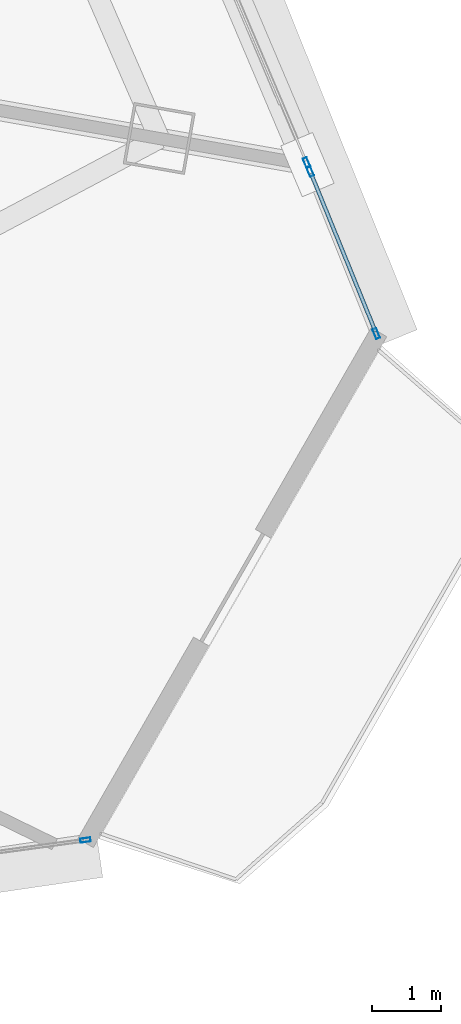
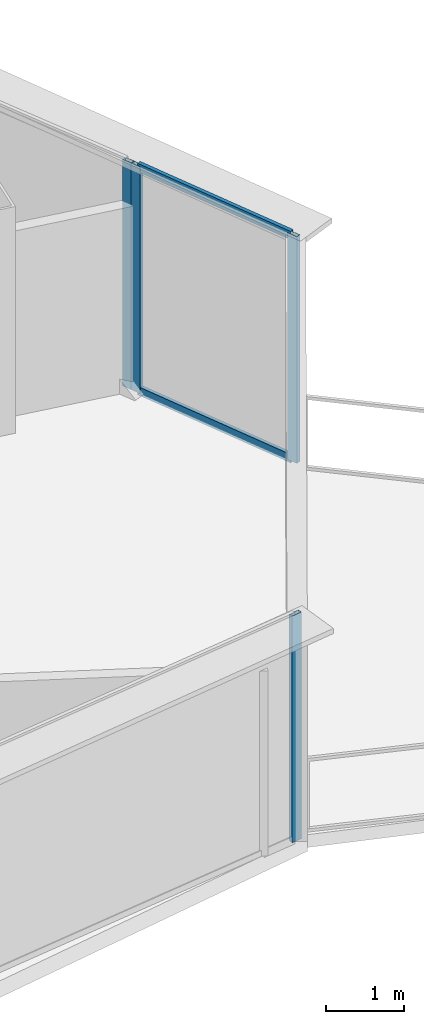
# One storey, part 24 of 37: 6 members, 3 elements without a shape of their own.
"""IFC4 building model written with IfcOpenShell, lengths in metres."""

from ifc_helpers import new_model, si_unit, direction, frame, origin, origin_2d, place, context, subcontext, project, spatial, hollow_rectangle, extrude, source, transform, mapped, material, layer, layer_set, material_profile, profile_set, type_object, element, aggregate, save


model = new_model("IFC4")

# Units and contexts
model_context = context("Model", 3, precision=1e-05, world=origin(), true_north=direction((0.0, 1.0)))
body_context = subcontext(model_context, "Body", "Model", "MODEL_VIEW")
ifc_project = project(units=[si_unit("LENGTHUNIT", "METRE"), si_unit("AREAUNIT", "SQUARE_METRE"), si_unit("VOLUMEUNIT", "CUBIC_METRE"), si_unit("PLANEANGLEUNIT", "RADIAN"), si_unit("MASSUNIT", "GRAM", prefix="KILO"), si_unit("THERMODYNAMICTEMPERATUREUNIT", "KELVIN"), si_unit("POWERUNIT", "WATT")], contexts=[model_context])

# Site, building, storey
site_placement = place(None, origin())
site = spatial("IfcSite", under=ifc_project, at=site_placement, CompositionType="ELEMENT")
building_placement = place(site_placement, origin())
building = spatial("IfcBuilding", under=site, at=building_placement, Name="Yunzhuo Pagoda Commons", CompositionType="ELEMENT")
storey_placement = place(building_placement, frame((0.0, 0.0, 192.360107421875)))
storey = spatial("IfcBuildingStorey", under=building, at=storey_placement, Name="L48", CompositionType="ELEMENT", Elevation=192.360107421875)

# Curtain wall, member
ifc_material = material(Name="Anodized aluminium 6063-T6", Category="aluminium")
ifc_layer = layer(ifc_material, 0.14990234375)
ifc_layer_set = layer_set([ifc_layer], Name="Anodized aluminium 6063-T6")
curtain_wall_type = type_object("IfcCurtainWallType", Name="CW-MID Mid-Zone Ribbon Curtain Wall", PredefinedType="NOTDEFINED", material=ifc_layer_set)
curtain_wall_1_placement = place(storey_placement, origin())
curtain_wall_1 = element("IfcCurtainWall", 1, at=curtain_wall_1_placement, inside=storey, type_object=curtain_wall_type, Name="L48 curtain wall CW-L48-F1B5", PredefinedType="NOTDEFINED")
ifc_material_profile_1 = material_profile(ifc_material, hollow_rectangle(XDim=0.06005859375, YDim=0.14990234375, WallThickness=0.00390625, at=origin_2d()), Name="Anodized aluminium 6063-T6")
ifc_profile_set_1 = profile_set([ifc_material_profile_1], Name="Anodized aluminium 6063-T6")
member_type_1 = type_object("IfcMemberType", Name="CW-MID-M Mullion RHS 150x60x4", PredefinedType="MULLION", material=ifc_profile_set_1)
shared_shape_1 = source(origin(), body_context, "Body", "SweptSolid", [
    extrude(hollow_rectangle(XDim=0.06005859375, YDim=0.14990234375, WallThickness=0.00390625, at=origin_2d()), origin(), (0.0, 0.0, 1.0), 3.539794921875),
])
member_1_placement = place(storey_placement, frame((82.1376953125, 17.32861328125, 0.0), z_axis=(0.0, 0.0, 1.0), x_axis=(-0.135312015534, 0.990803037163, 0.0)))
member_1 = element("IfcMember", 2, at=member_1_placement, type_object=member_type_1, Name="CW mullion 2", PredefinedType="MULLION", context=body_context, shape_type="MappedRepresentation", body=[
    mapped(shared_shape_1, transform((0.0, 0.0, 0.0), scale=1.0)),
])
aggregate(curtain_wall_1, [member_1])

curtain_wall_2_placement = place(storey_placement, origin())
curtain_wall_2 = element("IfcCurtainWall", 3, at=curtain_wall_2_placement, inside=storey, type_object=curtain_wall_type, Name="L48 curtain wall CW-L48-F2B2", PredefinedType="NOTDEFINED")
member_2_placement = place(storey_placement, frame((85.341796875, 27.14111328125, 0.0), z_axis=(0.0, 0.0, 1.0), x_axis=(-0.920666607247, -0.390349840912, 0.0)))
member_2 = element("IfcMember", 4, at=member_2_placement, type_object=member_type_1, Name="CW mullion 1", PredefinedType="MULLION", context=body_context, shape_type="MappedRepresentation", body=[
    mapped(shared_shape_1, transform((0.0, 0.0, 0.0), scale=1.0)),
])
aggregate(curtain_wall_2, [member_2])

# Curtain wall, members
curtain_wall_3_placement = place(storey_placement, origin())
curtain_wall_3 = element("IfcCurtainWall", 5, at=curtain_wall_3_placement, inside=storey, type_object=curtain_wall_type, Name="L48 curtain wall CW-L48-F2B1", PredefinedType="NOTDEFINED")
member_3_placement = place(storey_placement, frame((86.3505859375, 24.666015625, 0.0), z_axis=(0.0, 0.0, 1.0), x_axis=(-0.926070937911, -0.377349463967, 0.0)))
member_3 = element("IfcMember", 6, at=member_3_placement, type_object=member_type_1, Name="CW mullion 1", PredefinedType="MULLION", context=body_context, shape_type="MappedRepresentation", body=[
    mapped(shared_shape_1, transform((0.0, 0.0, 0.0), scale=1.0)),
])
member_4_placement = place(storey_placement, frame((85.39306640625, 27.016357421875, 0.0), z_axis=(0.0, 0.0, 1.0), x_axis=(-0.926070937911, -0.377349463967, 0.0)))
member_4 = element("IfcMember", 7, at=member_4_placement, type_object=member_type_1, Name="CW mullion 2", PredefinedType="MULLION", context=body_context, shape_type="MappedRepresentation", body=[
    mapped(shared_shape_1, transform((0.0, 0.0, 0.0), scale=1.0)),
])
ifc_material_profile_2 = material_profile(ifc_material, hollow_rectangle(XDim=0.054931640625, YDim=0.1298828125, WallThickness=0.00341796875, at=origin_2d()), Name="Anodized aluminium 6063-T6")
ifc_profile_set_2 = profile_set([ifc_material_profile_2], Name="Anodized aluminium 6063-T6")
member_type_2 = type_object("IfcMemberType", Name="CW-MID-T Transom RHS 130x55x3.5", PredefinedType="USERDEFINED", material=ifc_profile_set_2)
shared_shape_2 = source(origin(), body_context, "Body", "SweptSolid", [
    extrude(hollow_rectangle(XDim=0.054931640625, YDim=0.1298828125, WallThickness=0.00341796875, at=origin_2d()), origin(), (0.0, 0.0, 1.0), 2.47802734375),
])
member_5_placement = place(storey_placement, frame((86.339599609375, 24.69384765625, 0.02734375), z_axis=(-0.377447103133, 0.926031146526, 0.0), x_axis=(-0.926031146526, -0.377447103133, 0.0)))
member_5 = element("IfcMember", 8, at=member_5_placement, type_object=member_type_2, Name="CW transom 1.1", ObjectType="TRANSOM", PredefinedType="USERDEFINED", context=body_context, shape_type="MappedRepresentation", body=[
    mapped(shared_shape_2, transform((0.0, 0.0, 0.0), scale=1.0)),
])
member_6_placement = place(storey_placement, frame((86.339599609375, 24.69384765625, 3.512451171875), z_axis=(-0.377447103133, 0.926031146526, 0.0), x_axis=(-0.926031146526, -0.377447103133, 0.0)))
member_6 = element("IfcMember", 9, at=member_6_placement, type_object=member_type_2, Name="CW transom 1.2", ObjectType="TRANSOM", PredefinedType="USERDEFINED", context=body_context, shape_type="MappedRepresentation", body=[
    mapped(shared_shape_2, transform((0.0, 0.0, 0.0), scale=1.0)),
])
aggregate(curtain_wall_3, [member_3, member_4, member_5, member_6])

save(model, "model.ifc")
